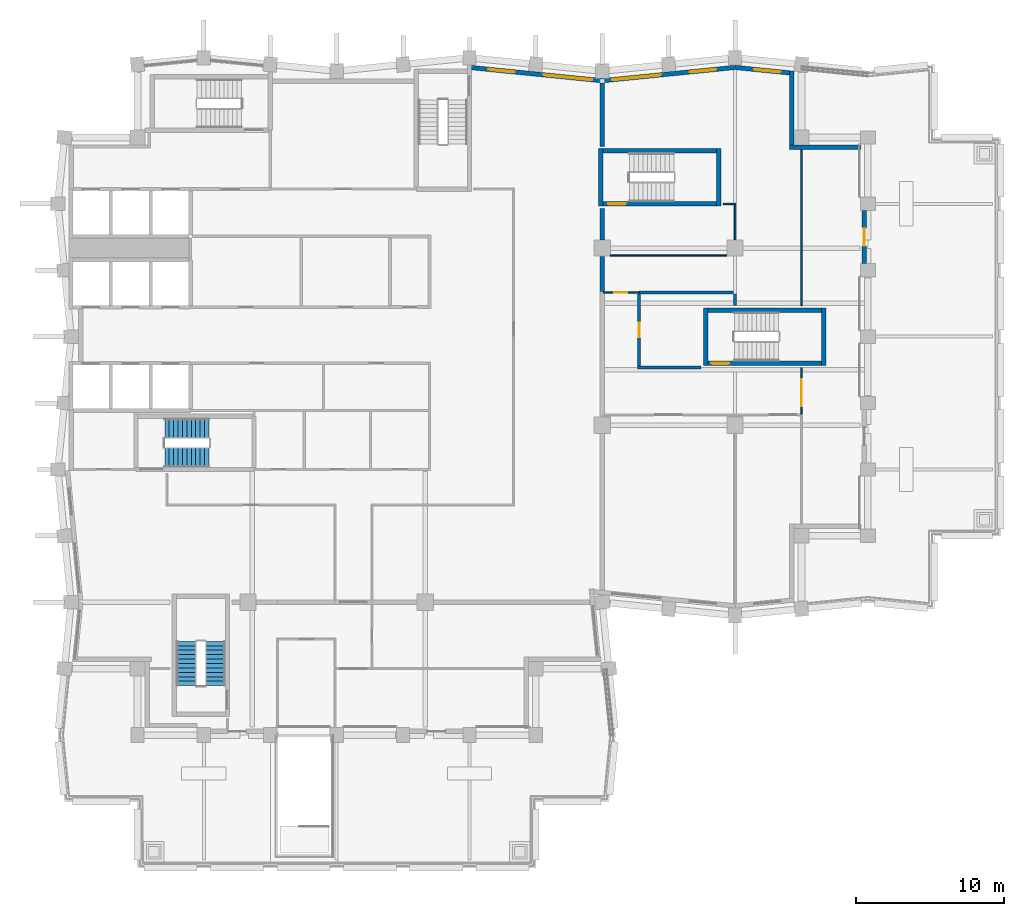
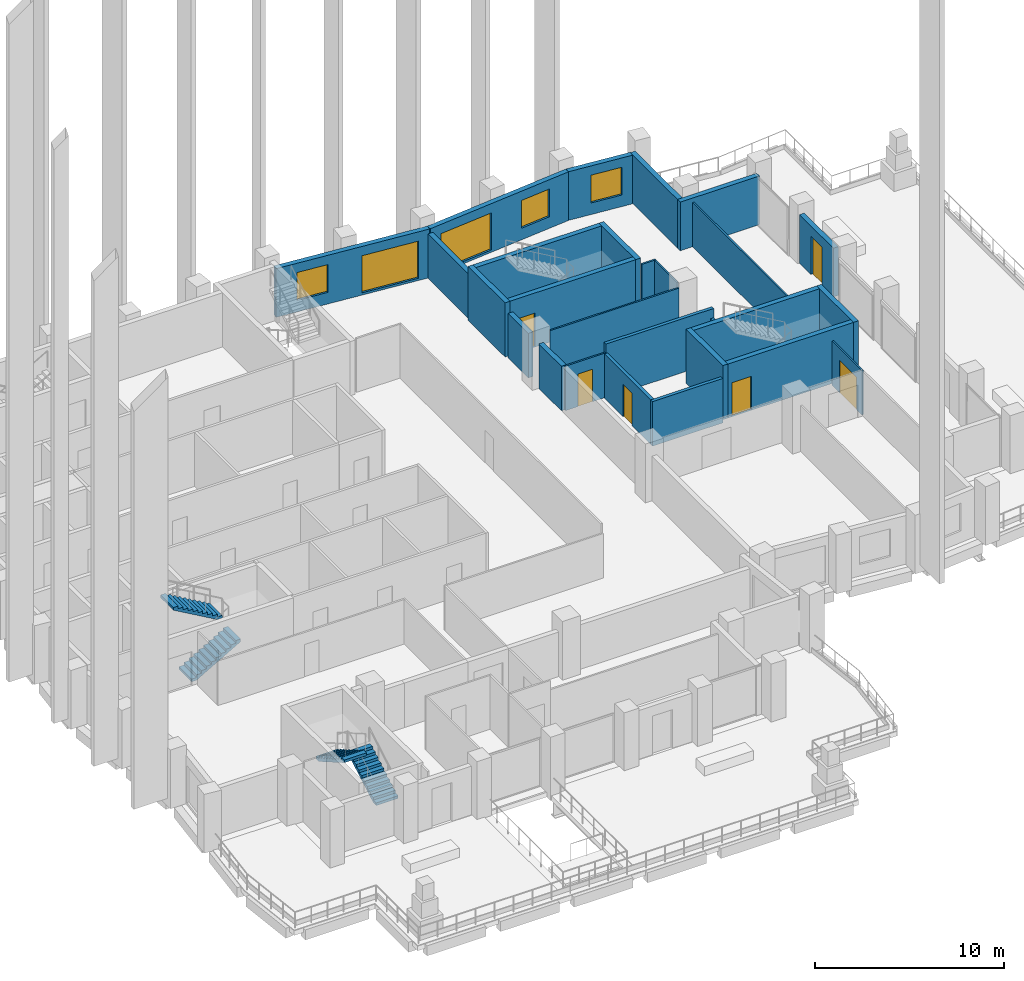
# One storey, part 14 of 19: 27 walls, 6 doors, 5 windows, 4 stair flights, 11 openings, 2 elements without a shape of their own.
"""IFC4 building model written with IfcOpenShell, lengths in metres."""

from ifc_helpers import new_model, si_unit, direction, frame, frame_2d, origin, place, context, subcontext, project, spatial, polyline, rectangle, outline, extrude, material, layer, layer_set, type_object, element, fill, aggregate, save


model = new_model("IFC4")

# Units and contexts
model_context = context("Model", 3, precision=1e-05, world=origin(), true_north=direction((0.0, 1.0)))
body_context = subcontext(model_context, "Body", "Model", "MODEL_VIEW")
ifc_project = project(units=[si_unit("LENGTHUNIT", "METRE"), si_unit("AREAUNIT", "SQUARE_METRE"), si_unit("VOLUMEUNIT", "CUBIC_METRE"), si_unit("PLANEANGLEUNIT", "RADIAN"), si_unit("MASSUNIT", "GRAM", prefix="KILO")], contexts=[model_context])

# Site, building, storey
site_placement = place(None, origin())
site = spatial("IfcSite", under=ifc_project, at=site_placement, CompositionType="ELEMENT")
building_placement = place(site_placement, origin())
building = spatial("IfcBuilding", under=site, at=building_placement, Name="Brondeck Convention Tower", CompositionType="ELEMENT")
storey_placement = place(building_placement, frame((0.0, 0.0, 198.800048828125)))
storey = spatial("IfcBuildingStorey", under=building, at=storey_placement, Name="L48", CompositionType="ELEMENT", Elevation=198.800048828125)

# Walls
ifc_material_1 = material(Name="Concrete compartment wall C30/37", Category="concrete")
ifc_layer_1 = layer(ifc_material_1, 0.300048828125)
ifc_layer_set_1 = layer_set([ifc_layer_1], Name="Compartment wall 300")
wall_type_1 = type_object("IfcWallType", Name="Compartment wall 300", PredefinedType="PARTITIONING", material=ifc_layer_set_1)
wall_1_placement = place(storey_placement, frame((36.0, 48.050048828125, 0.0), z_axis=(0.0, 0.0, 1.0), x_axis=(0.0, 1.0, 0.0)))
element("IfcWall", 1, at=wall_1_placement, inside=storey, type_object=wall_type_1, Name="FLR-L48-W040", PredefinedType="PARTITIONING", context=body_context, shape_type="SweptSolid", body=[
    extrude(rectangle(XDim=2.39501953125, YDim=0.300048828125, at=frame_2d((1.197509765625, 0.0))), origin(), (0.0, 0.0, 1.0), 2.8798828125),
])
wall_2_placement = place(storey_placement, frame((36.0, 51.554931640625, 0.0), z_axis=(0.0, 0.0, 1.0), x_axis=(0.0, 1.0, 0.0)))
element("IfcWall", 2, at=wall_2_placement, inside=storey, type_object=wall_type_1, Name="FLR-L48-W042", PredefinedType="PARTITIONING", context=body_context, shape_type="SweptSolid", body=[
    extrude(rectangle(XDim=2.14501953125, YDim=0.300048828125, at=frame_2d((1.072509765625, 0.0))), origin(), (0.0, 0.0, 1.0), 2.8798828125),
])
wall_3_placement = place(storey_placement, frame((36.0, 57.89990234375, 0.0), z_axis=(0.0, 0.0, 1.0), x_axis=(0.0, 1.0, 0.0)))
element("IfcWall", 3, at=wall_3_placement, inside=storey, type_object=wall_type_1, Name="FLR-L48-W047", PredefinedType="PARTITIONING", context=body_context, shape_type="SweptSolid", body=[
    extrude(rectangle(XDim=4.2763671875, YDim=0.300048828125, at=frame_2d((2.13818359375, 0.0))), origin(), (0.0, 0.0, 1.0), 2.8798828125),
])
ifc_material_2 = material(Name="Precast concrete C50/60 bronze finish", Category="concrete")
ifc_layer_2 = layer(ifc_material_2, 0.070068359375, Name="Bronze precast facing")
ifc_material_3 = material(Name="Mineral wool")
ifc_layer_3 = layer(ifc_material_3, 0.159912109375, Name="Insulation")
ifc_material_4 = material(Name="Concrete C35/45", Category="concrete")
ifc_layer_4 = layer(ifc_material_4, 0.070068359375, Name="Backing")
ifc_layer_set_2 = layer_set([ifc_layer_2, ifc_layer_3, ifc_layer_4], Name="External infill wall, precast concrete C50/60 bronze facing")
wall_type_2 = type_object("IfcWallType", Name="External infill wall, precast concrete C50/60 bronze facing", PredefinedType="SOLIDWALL", material=ifc_layer_set_2)
wall_4_placement = place(storey_placement, frame((48.699951171875, 57.85009765625, 0.0), z_axis=(0.0, 0.0, 1.0), x_axis=(1.0, 0.0, 0.0)))
element("IfcWall", 4, at=wall_4_placement, inside=storey, type_object=wall_type_2, Name="ENV-EW-L48-P2-NC-NEA54-01", PredefinedType="SOLIDWALL", context=body_context, shape_type="SweptSolid", body=[
    extrude(rectangle(XDim=4.85009765625, YDim=0.300048828125, at=frame_2d((2.425048828125, 0.0))), origin(), (0.0, 0.0, 1.0), 3.14990234375),
])
wall_5_placement = place(storey_placement, frame((48.85009765625, 62.99755859375, 0.0), z_axis=(0.0, 0.0, 1.0), x_axis=(0.0, -1.0, 0.0)))
element("IfcWall", 5, at=wall_5_placement, inside=storey, type_object=wall_type_2, Name="ENV-EW-L48-P2-NC-NEA54-02", PredefinedType="SOLIDWALL", context=body_context, shape_type="SweptSolid", body=[
    extrude(rectangle(XDim=4.99951171875, YDim=0.300048828125, at=frame_2d((2.499755859375, 0.0))), origin(), (0.0, 0.0, 1.0), 3.14990234375),
])

# Wall, opening, window
wall_6_placement = place(storey_placement, frame((44.985107421875, 63.248291015625, 0.0), z_axis=(0.0, 0.0, 1.0), x_axis=(0.995037837869, -0.099497242219, 0.0)))
wall_6 = element("IfcWall", 6, at=wall_6_placement, inside=storey, type_object=wall_type_2, Name="ENV-EW-L48-P2-A-N-10", PredefinedType="SOLIDWALL", context=body_context, shape_type="SweptSolid", body=[
    extrude(rectangle(XDim=3.732177734375, YDim=0.300048828125, at=frame_2d((1.8662109375, 0.0))), origin(), (0.0, 0.0, 1.0), 3.14990234375),
])
opening_1_placement = place(wall_6_placement, frame((1.311279296875, 0.0, 0.75)))
opening_1 = element("IfcOpeningElement", 7, at=opening_1_placement, cuts=wall_6, Name="Opening W10", PredefinedType="OPENING", context=body_context, shape_type="SweptSolid", body=[
    extrude(rectangle(XDim=1.800048828125, YDim=1.800048828125, at=frame_2d((0.89990234375, 0.89990234375))), frame((0.0, 0.159912109375, 0.0), z_axis=(0.0, -1.0, 0.0), x_axis=(1.0, 0.0, 0.0)), (0.0, 0.0, 1.0), 0.320068359375),
])
ifc_material_5 = material(Name="Bronze tinted double glazing", Category="glass")
window_type_1 = type_object("IfcWindowType", Name="Punched window, bronze tinted", PartitioningType="SINGLE_PANEL", PredefinedType="WINDOW", material=ifc_material_5)
window_1_placement = place(opening_1_placement, origin())
window_1 = element("IfcWindow", 8, at=window_1_placement, inside=storey, type_object=window_type_1, Name="ENV-WN-L48-P2-A-N-10", OverallHeight=1.800048828125, OverallWidth=1.800048828125, PartitioningType="SINGLE_PANEL", PredefinedType="WINDOW", context=body_context, shape_type="SweptSolid", body=[
    extrude(rectangle(XDim=1.800048828125, YDim=1.800048828125, at=frame_2d((0.89990234375, 0.89990234375))), frame((0.0, 0.030029296875, 0.0), z_axis=(0.0, -1.0, 0.0), x_axis=(1.0, 0.0, 0.0)), (0.0, 0.0, 1.0), 0.06005859375),
])
fill(opening_1, window_1)

# Wall, openings, windows
wall_7_placement = place(storey_placement, frame((35.985107421875, 62.34521484375, 0.0), z_axis=(0.0, 0.0, 1.0), x_axis=(0.995035316196, 0.099522457379, 0.0)))
wall_7 = element("IfcWall", 9, at=wall_7_placement, inside=storey, type_object=wall_type_2, Name="ENV-EW-L48-P2-A-N-09", PredefinedType="SOLIDWALL", context=body_context, shape_type="SweptSolid", body=[
    extrude(rectangle(XDim=9.030029296875, YDim=0.300048828125, at=frame_2d((4.51513671875, 0.0))), origin(), (0.0, 0.0, 1.0), 3.14990234375),
])
opening_2_placement = place(wall_7_placement, frame((0.691162109375, 0.0, 0.14990234375)))
opening_2 = element("IfcOpeningElement", 10, at=opening_2_placement, cuts=wall_7, Name="Opening W9", PredefinedType="OPENING", context=body_context, shape_type="SweptSolid", body=[
    extrude(rectangle(XDim=3.300048828125, YDim=2.39990234375, at=frame_2d((1.64990234375, 1.199951171875))), frame((0.0, 0.159912109375, 0.0), z_axis=(0.0, -1.0, 0.0), x_axis=(1.0, 0.0, 0.0)), (0.0, 0.0, 1.0), 0.320068359375),
])
opening_3_placement = place(wall_7_placement, frame((5.963623046875, 0.0, 0.75)))
opening_3 = element("IfcOpeningElement", 11, at=opening_3_placement, cuts=wall_7, Name="Opening W10", PredefinedType="OPENING", context=body_context, shape_type="SweptSolid", body=[
    extrude(rectangle(XDim=1.800048828125, YDim=1.800048828125, at=frame_2d((0.89990234375, 0.89990234375))), frame((0.0, 0.159912109375, 0.0), z_axis=(0.0, -1.0, 0.0), x_axis=(1.0, 0.0, 0.0)), (0.0, 0.0, 1.0), 0.320068359375),
])
window_type_2 = type_object("IfcWindowType", Name="Glazed flute window, bronze tinted", PartitioningType="SINGLE_PANEL", PredefinedType="WINDOW", material=ifc_material_5)
window_2_placement = place(opening_2_placement, origin())
window_2 = element("IfcWindow", 12, at=window_2_placement, inside=storey, type_object=window_type_2, Name="ENV-WN-L48-P2-A-N-08", OverallHeight=2.39990234375, OverallWidth=3.300048828125, PartitioningType="SINGLE_PANEL", PredefinedType="WINDOW", context=body_context, shape_type="SweptSolid", body=[
    extrude(rectangle(XDim=3.300048828125, YDim=2.39990234375, at=frame_2d((1.64990234375, 1.199951171875))), frame((0.0, 0.030029296875, 0.0), z_axis=(0.0, -1.0, 0.0), x_axis=(1.0, 0.0, 0.0)), (0.0, 0.0, 1.0), 0.06005859375),
])
fill(opening_2, window_2)
window_3_placement = place(opening_3_placement, origin())
window_3 = element("IfcWindow", 13, at=window_3_placement, inside=storey, type_object=window_type_1, Name="ENV-WN-L48-P2-A-N-09", OverallHeight=1.800048828125, OverallWidth=1.800048828125, PartitioningType="SINGLE_PANEL", PredefinedType="WINDOW", context=body_context, shape_type="SweptSolid", body=[
    extrude(rectangle(XDim=1.800048828125, YDim=1.800048828125, at=frame_2d((0.89990234375, 0.89990234375))), frame((0.0, 0.030029296875, 0.0), z_axis=(0.0, -1.0, 0.0), x_axis=(1.0, 0.0, 0.0)), (0.0, 0.0, 1.0), 0.06005859375),
])
fill(opening_3, window_3)

wall_8_placement = place(storey_placement, frame((27.084716796875, 63.23828125, 0.0), z_axis=(0.0, 0.0, 1.0), x_axis=(0.995035836657, -0.099517253618, 0.0)))
wall_8 = element("IfcWall", 14, at=wall_8_placement, inside=storey, type_object=wall_type_2, Name="ENV-EW-L48-P2-A-N-07", PredefinedType="SOLIDWALL", context=body_context, shape_type="SweptSolid", body=[
    extrude(rectangle(XDim=8.929931640625, YDim=0.300048828125, at=frame_2d((4.46484375, 0.0))), origin(), (0.0, 0.0, 1.0), 3.14990234375),
])
opening_4_placement = place(wall_8_placement, frame((1.211181640625, 0.0, 0.75)))
opening_4 = element("IfcOpeningElement", 15, at=opening_4_placement, cuts=wall_8, Name="Opening W10", PredefinedType="OPENING", context=body_context, shape_type="SweptSolid", body=[
    extrude(rectangle(XDim=1.800048828125, YDim=1.800048828125, at=frame_2d((0.89990234375, 0.89990234375))), frame((0.0, 0.159912109375, 0.0), z_axis=(0.0, -1.0, 0.0), x_axis=(1.0, 0.0, 0.0)), (0.0, 0.0, 1.0), 0.320068359375),
])
opening_5_placement = place(wall_8_placement, frame((4.983642578125, 0.0, 0.14990234375)))
opening_5 = element("IfcOpeningElement", 16, at=opening_5_placement, cuts=wall_8, Name="Opening W9", PredefinedType="OPENING", context=body_context, shape_type="SweptSolid", body=[
    extrude(rectangle(XDim=3.300048828125, YDim=2.39990234375, at=frame_2d((1.64990234375, 1.199951171875))), frame((0.0, 0.159912109375, 0.0), z_axis=(0.0, -1.0, 0.0), x_axis=(1.0, 0.0, 0.0)), (0.0, 0.0, 1.0), 0.320068359375),
])
window_4_placement = place(opening_5_placement, origin())
window_4 = element("IfcWindow", 17, at=window_4_placement, inside=storey, type_object=window_type_2, Name="ENV-WN-L48-P2-A-N-07", OverallHeight=2.39990234375, OverallWidth=3.300048828125, PartitioningType="SINGLE_PANEL", PredefinedType="WINDOW", context=body_context, shape_type="SweptSolid", body=[
    extrude(rectangle(XDim=3.300048828125, YDim=2.39990234375, at=frame_2d((1.64990234375, 1.199951171875))), frame((0.0, 0.030029296875, 0.0), z_axis=(0.0, -1.0, 0.0), x_axis=(1.0, 0.0, 0.0)), (0.0, 0.0, 1.0), 0.06005859375),
])
fill(opening_5, window_4)
window_5_placement = place(opening_4_placement, origin())
window_5 = element("IfcWindow", 18, at=window_5_placement, inside=storey, type_object=window_type_1, Name="ENV-WN-L48-P2-A-N-06", OverallHeight=1.800048828125, OverallWidth=1.800048828125, PartitioningType="SINGLE_PANEL", PredefinedType="WINDOW", context=body_context, shape_type="SweptSolid", body=[
    extrude(rectangle(XDim=1.800048828125, YDim=1.800048828125, at=frame_2d((0.89990234375, 0.89990234375))), frame((0.0, 0.030029296875, 0.0), z_axis=(0.0, -1.0, 0.0), x_axis=(1.0, 0.0, 0.0)), (0.0, 0.0, 1.0), 0.06005859375),
])
fill(opening_4, window_5)

# Wall, opening, door
wall_9_placement = place(storey_placement, frame((53.75, 53.550048828125, 0.0), z_axis=(0.0, 0.0, 1.0), x_axis=(0.0, -1.0, 0.0)))
wall_9 = element("IfcWall", 19, at=wall_9_placement, inside=storey, type_object=wall_type_2, Name="ENV-TW-L48-P2-A-E54-05", PredefinedType="SOLIDWALL", context=body_context, shape_type="SweptSolid", body=[
    extrude(rectangle(XDim=3.60009765625, YDim=0.300048828125, at=frame_2d((1.800048828125, 0.0))), origin(), (0.0, 0.0, 1.0), 3.14990234375),
])
opening_6_placement = place(wall_9_placement, frame((1.199951171875, 0.0, 0.0)))
opening_6 = element("IfcOpeningElement", 20, at=opening_6_placement, cuts=wall_9, Name="Opening DB-L48-A-E54-05", PredefinedType="OPENING", context=body_context, shape_type="SweptSolid", body=[
    extrude(rectangle(XDim=1.199951171875, YDim=2.5, at=frame_2d((0.60009765625, 1.25))), frame((0.0, 0.159912109375, 0.0), z_axis=(0.0, -1.0, 0.0), x_axis=(1.0, 0.0, 0.0)), (0.0, 0.0, 1.0), 0.320068359375),
])
ifc_material_6 = material(Name="Aluminium, bronze anodised", Category="aluminium")
door_type_1 = type_object("IfcDoorType", Name="Terrace door, single leaf", OperationType="SINGLE_SWING_LEFT", PredefinedType="DOOR", material=ifc_material_6)
door_1_placement = place(opening_6_placement, origin())
door_1 = element("IfcDoor", 21, at=door_1_placement, inside=storey, type_object=door_type_1, Name="ENV-D-DB-L48-A-E54-05", OperationType="SINGLE_SWING_LEFT", OverallHeight=2.5, OverallWidth=1.199951171875, PredefinedType="DOOR", context=body_context, shape_type="SweptSolid", body=[
    extrude(rectangle(XDim=1.199951171875, YDim=2.5, at=frame_2d((0.60009765625, 1.25))), frame((0.0, 0.02490234375, 0.0), z_axis=(0.0, -1.0, 0.0), x_axis=(1.0, 0.0, 0.0)), (0.0, 0.0, 1.0), 0.050048828125),
])
fill(opening_6, door_1)

# Wall
ifc_material_7 = material(Name="Concrete block wall C16/20", Category="concrete")
ifc_layer_5 = layer(ifc_material_7, 0.199951171875)
ifc_layer_set_3 = layer_set([ifc_layer_5], Name="Plant room wall 200")
wall_type_3 = type_object("IfcWallType", Name="Plant room wall 200", PredefinedType="PARTITIONING", material=ifc_layer_set_3)
wall_10_placement = place(storey_placement, frame((38.39990234375, 42.89990234375, 0.0), z_axis=(0.0, 0.0, 1.0), x_axis=(1.0, 0.0, 0.0)))
element("IfcWall", 22, at=wall_10_placement, inside=storey, type_object=wall_type_3, Name="FLR-L48-W033", PredefinedType="PARTITIONING", context=body_context, shape_type="SweptSolid", body=[
    extrude(rectangle(XDim=4.300048828125, YDim=0.199951171875, at=frame_2d((2.14990234375, 0.0))), origin(), (0.0, 0.0, 1.0), 2.8798828125),
])

# Wall, opening, door
wall_11_placement = place(storey_placement, frame((38.5, 47.89990234375, 0.0), z_axis=(0.0, 0.0, 1.0), x_axis=(0.0, -1.0, 0.0)))
wall_11 = element("IfcWall", 23, at=wall_11_placement, inside=storey, type_object=wall_type_3, Name="FLR-L48-W036", PredefinedType="PARTITIONING", context=body_context, shape_type="SweptSolid", body=[
    extrude(rectangle(XDim=4.89990234375, YDim=0.199951171875, at=frame_2d((2.449951171875, 0.0))), origin(), (0.0, 0.0, 1.0), 2.8798828125),
])
opening_7_placement = place(wall_11_placement, frame((1.949951171875, 0.0, 0.0)))
opening_7 = element("IfcOpeningElement", 24, at=opening_7_placement, cuts=wall_11, Name="Opening OF-K-001", PredefinedType="OPENING", context=body_context, shape_type="SweptSolid", body=[
    extrude(rectangle(XDim=1.0, YDim=2.10009765625, at=frame_2d((0.5, 1.050048828125))), frame((0.0, 0.10986328125, 0.0), z_axis=(0.0, -1.0, 0.0), x_axis=(1.0, 0.0, 0.0)), (0.0, 0.0, 1.0), 0.219970703125),
])
ifc_material_8 = material(Name="Steel fire door leaf", Category="steel")
door_type_2 = type_object("IfcDoorType", Name="Plant room door 1000", OperationType="NOTDEFINED", PredefinedType="DOOR", material=ifc_material_8)
door_2_placement = place(opening_7_placement, origin())
door_2 = element("IfcDoor", 25, at=door_2_placement, inside=storey, type_object=door_type_2, Name="Door OF-K-001", OperationType="SINGLE_SWING_RIGHT", OverallHeight=2.10009765625, OverallWidth=1.0, PredefinedType="DOOR", context=body_context, shape_type="SweptSolid", body=[
    extrude(rectangle(XDim=1.0, YDim=2.10009765625, at=frame_2d((0.5, 1.050048828125))), frame((0.0, 0.02490234375, 0.0), z_axis=(0.0, -1.0, 0.0), x_axis=(1.0, 0.0, 0.0)), (0.0, 0.0, 1.0), 0.050048828125),
])
fill(opening_7, door_2)

# Walls
wall_12_placement = place(storey_placement, frame((45.0, 47.89990234375, 0.0), z_axis=(0.0, 0.0, 1.0), x_axis=(0.0, -1.0, 0.0)))
element("IfcWall", 26, at=wall_12_placement, inside=storey, type_object=wall_type_3, Name="FLR-L48-W037", PredefinedType="PARTITIONING", context=body_context, shape_type="SweptSolid", body=[
    extrude(rectangle(XDim=0.7998046875, YDim=0.199951171875, at=frame_2d((0.39990234375, 0.0))), origin(), (0.0, 0.0, 1.0), 2.8798828125),
])
wall_13_placement = place(storey_placement, frame((38.5, 48.0, 0.0), z_axis=(0.0, 0.0, 1.0), x_axis=(1.0, 0.0, 0.0)))
element("IfcWall", 27, at=wall_13_placement, inside=storey, type_object=wall_type_3, Name="FLR-L48-W039", PredefinedType="PARTITIONING", context=body_context, shape_type="SweptSolid", body=[
    extrude(rectangle(XDim=6.60009765625, YDim=0.199951171875, at=frame_2d((3.300048828125, 0.0))), origin(), (0.0, 0.0, 1.0), 3.47998046875),
])

# Wall, opening, door
ifc_material_9 = material(Name="Gypsum board partition on steel studs", Category="steel")
ifc_layer_6 = layer(ifc_material_9, 0.10009765625)
ifc_layer_set_4 = layer_set([ifc_layer_6], Name="Room partition 100")
wall_type_4 = type_object("IfcWallType", Name="Room partition 100", PredefinedType="PARTITIONING", material=ifc_layer_set_4)
wall_14_placement = place(storey_placement, frame((49.5, 42.89990234375, 0.0), z_axis=(0.0, 0.0, 1.0), x_axis=(0.0, -1.0, 0.0)))
wall_14 = element("IfcWall", 28, at=wall_14_placement, inside=storey, type_object=wall_type_4, Name="FLR-L48-W034", PredefinedType="PARTITIONING", context=body_context, shape_type="SweptSolid", body=[
    extrude(rectangle(XDim=3.14990234375, YDim=0.10009765625, at=frame_2d((1.574951171875, 0.0))), origin(), (0.0, 0.0, 1.0), 2.8798828125),
])
opening_8_placement = place(wall_14_placement, frame((0.800048828125, 0.0, 0.0)))
opening_8 = element("IfcOpeningElement", 29, at=opening_8_placement, cuts=wall_14, Name="Opening OF-K-003", PredefinedType="OPENING", context=body_context, shape_type="SweptSolid", body=[
    extrude(rectangle(XDim=1.800048828125, YDim=2.10009765625, at=frame_2d((0.89990234375, 1.050048828125))), frame((0.0, 0.06005859375, 0.0), z_axis=(0.0, -1.0, 0.0), x_axis=(1.0, 0.0, 0.0)), (0.0, 0.0, 1.0), 0.1201171875),
])
ifc_material_10 = material(Name="Glazed timber double door", Category="wood")
door_type_3 = type_object("IfcDoorType", Name="Double door 1800", OperationType="DOUBLE_DOOR_SINGLE_SWING", PredefinedType="DOOR", material=ifc_material_10)
door_3_placement = place(opening_8_placement, origin())
door_3 = element("IfcDoor", 30, at=door_3_placement, inside=storey, type_object=door_type_3, Name="Door OF-K-003", OperationType="DOUBLE_DOOR_SINGLE_SWING", OverallHeight=2.10009765625, OverallWidth=1.800048828125, PredefinedType="DOOR", context=body_context, shape_type="SweptSolid", body=[
    extrude(rectangle(XDim=1.800048828125, YDim=2.10009765625, at=frame_2d((0.89990234375, 1.050048828125))), frame((0.0, 0.02490234375, 0.0), z_axis=(0.0, -1.0, 0.0), x_axis=(1.0, 0.0, 0.0)), (0.0, 0.0, 1.0), 0.050048828125),
])
fill(opening_8, door_3)

# Wall
wall_15_placement = place(storey_placement, frame((49.5, 47.10009765625, 0.0), z_axis=(0.0, 0.0, 1.0), x_axis=(0.0, 1.0, 0.0)))
element("IfcWall", 31, at=wall_15_placement, inside=storey, type_object=wall_type_4, Name="FLR-L48-W035", PredefinedType="PARTITIONING", context=body_context, shape_type="SweptSolid", body=[
    extrude(rectangle(XDim=10.579833984375, YDim=0.10009765625, at=frame_2d((5.2900390625, 0.0))), origin(), (0.0, 0.0, 1.0), 2.8798828125),
])

# Wall, opening, door
wall_16_placement = place(storey_placement, frame((36.050048828125, 48.0, 0.0), z_axis=(0.0, 0.0, 1.0), x_axis=(1.0, 0.0, 0.0)))
wall_16 = element("IfcWall", 32, at=wall_16_placement, inside=storey, type_object=wall_type_4, Name="FLR-L48-W038", PredefinedType="PARTITIONING", context=body_context, shape_type="SweptSolid", body=[
    extrude(rectangle(XDim=2.449951171875, YDim=0.10009765625, at=frame_2d((1.22509765625, 0.0))), origin(), (0.0, 0.0, 1.0), 2.8798828125),
])
opening_9_placement = place(wall_16_placement, frame((0.75, 0.0, 0.0)))
opening_9 = element("IfcOpeningElement", 33, at=opening_9_placement, cuts=wall_16, Name="Opening OF-K-006", PredefinedType="OPENING", context=body_context, shape_type="SweptSolid", body=[
    extrude(rectangle(XDim=0.89990234375, YDim=2.10009765625, at=frame_2d((0.449951171875, 1.050048828125))), frame((0.0, 0.06005859375, 0.0), z_axis=(0.0, -1.0, 0.0), x_axis=(1.0, 0.0, 0.0)), (0.0, 0.0, 1.0), 0.1201171875),
])
ifc_material_11 = material(Name="Solid timber door leaf", Category="wood")
door_type_4 = type_object("IfcDoorType", Name="Single door 900", OperationType="NOTDEFINED", PredefinedType="DOOR", material=ifc_material_11)
door_4_placement = place(opening_9_placement, origin())
door_4 = element("IfcDoor", 34, at=door_4_placement, inside=storey, type_object=door_type_4, Name="Door OF-K-006", OperationType="SINGLE_SWING_LEFT", OverallHeight=2.10009765625, OverallWidth=0.89990234375, PredefinedType="DOOR", context=body_context, shape_type="SweptSolid", body=[
    extrude(rectangle(XDim=0.89990234375, YDim=2.10009765625, at=frame_2d((0.449951171875, 1.050048828125))), frame((0.0, 0.02490234375, 0.0), z_axis=(0.0, -1.0, 0.0), x_axis=(1.0, 0.0, 0.0)), (0.0, 0.0, 1.0), 0.050048828125),
])
fill(opening_9, door_4)

# Walls
wall_17_placement = place(storey_placement, frame((44.445068359375, 50.5, 0.0), z_axis=(0.0, 0.0, 1.0), x_axis=(-1.0, 0.0, 0.0)))
element("IfcWall", 35, at=wall_17_placement, inside=storey, type_object=wall_type_4, Name="FLR-L48-W041", PredefinedType="PARTITIONING", context=body_context, shape_type="SweptSolid", body=[
    extrude(rectangle(XDim=7.89013671875, YDim=0.10009765625, at=frame_2d((3.945068359375, 0.0))), origin(), (0.0, 0.0, 1.0), 3.47998046875),
])
wall_18_placement = place(storey_placement, frame((45.0, 53.949951171875, 0.0), z_axis=(0.0, 0.0, 1.0), x_axis=(0.0, -1.0, 0.0)))
element("IfcWall", 36, at=wall_18_placement, inside=storey, type_object=wall_type_4, Name="FLR-L48-W043", PredefinedType="PARTITIONING", context=body_context, shape_type="SweptSolid", body=[
    extrude(rectangle(XDim=2.39501953125, YDim=0.10009765625, at=frame_2d((1.197509765625, 0.0))), origin(), (0.0, 0.0, 1.0), 2.97998046875),
])
wall_19_placement = place(storey_placement, frame((44.199951171875, 54.0, 0.0), z_axis=(0.0, 0.0, 1.0), x_axis=(1.0, 0.0, 0.0)))
element("IfcWall", 37, at=wall_19_placement, inside=storey, type_object=wall_type_4, Name="FLR-L48-W044", PredefinedType="PARTITIONING", context=body_context, shape_type="SweptSolid", body=[
    extrude(rectangle(XDim=0.85009765625, YDim=0.10009765625, at=frame_2d((0.425048828125, 0.0))), origin(), (0.0, 0.0, 1.0), 2.97998046875),
])

# Wall, opening, door
ifc_material_12 = material(Name="Concrete C50/60", Category="concrete")
ifc_layer_7 = layer(ifc_material_12, 0.300048828125)
ifc_layer_set_5 = layer_set([ifc_layer_7], Name="Stair enclosure wall 300 Concrete C50/60")
wall_type_5 = type_object("IfcWallType", Name="Stair enclosure wall 300 Concrete C50/60", PredefinedType="SHEAR", material=ifc_layer_set_5)
wall_20_placement = place(storey_placement, frame((43.14990234375, 43.199951171875, 0.0), z_axis=(0.0, 0.0, 1.0), x_axis=(1.0, 0.0, 0.0)))
wall_20 = element("IfcWall", 38, at=wall_20_placement, inside=storey, type_object=wall_type_5, Name="L48 core wall", PredefinedType="SHEAR", context=body_context, shape_type="SweptSolid", body=[
    extrude(rectangle(XDim=7.7001953125, YDim=0.300048828125, at=frame_2d((3.85009765625, 0.0))), origin(), (0.0, 0.0, 1.0), 3.5),
])
opening_10_placement = place(wall_20_placement, frame((0.25, 0.0, 0.0)))
opening_10 = element("IfcOpeningElement", 39, at=opening_10_placement, cuts=wall_20, Name="Opening C27-16", PredefinedType="OPENING", context=body_context, shape_type="SweptSolid", body=[
    extrude(rectangle(XDim=1.199951171875, YDim=2.199951171875, at=frame_2d((0.60009765625, 1.10009765625))), frame((0.0, 0.159912109375, 0.0), z_axis=(0.0, -1.0, 0.0), x_axis=(1.0, 0.0, 0.0)), (0.0, 0.0, 1.0), 0.320068359375),
])
ifc_material_13 = material(Name="Steel fire door", Category="steel")
door_type_5 = type_object("IfcDoorType", Name="Stair door 1200x2200 EI 90", OperationType="NOTDEFINED", PredefinedType="DOOR", material=ifc_material_13)
door_5_placement = place(opening_10_placement, origin())
door_5 = element("IfcDoor", 40, at=door_5_placement, inside=storey, type_object=door_type_5, Name="L48 Stair door ST-AF", OperationType="SINGLE_SWING_RIGHT", OverallHeight=2.199951171875, OverallWidth=1.199951171875, PredefinedType="DOOR", context=body_context, shape_type="SweptSolid", body=[
    extrude(rectangle(XDim=1.199951171875, YDim=2.199951171875, at=frame_2d((0.60009765625, 1.10009765625))), frame((0.0, 0.02490234375, 0.0), z_axis=(0.0, -1.0, 0.0), x_axis=(1.0, 0.0, 0.0)), (0.0, 0.0, 1.0), 0.050048828125),
])
fill(opening_10, door_5)

# Wall
wall_21_placement = place(storey_placement, frame((43.14990234375, 46.800048828125, 0.0), z_axis=(0.0, 0.0, 1.0), x_axis=(1.0, 0.0, 0.0)))
element("IfcWall", 41, at=wall_21_placement, inside=storey, type_object=wall_type_5, Name="L48 core wall", PredefinedType="SHEAR", context=body_context, shape_type="SweptSolid", body=[
    extrude(rectangle(XDim=7.7001953125, YDim=0.300048828125, at=frame_2d((3.85009765625, 0.0))), origin(), (0.0, 0.0, 1.0), 3.5),
])

# Wall, opening, door
wall_22_placement = place(storey_placement, frame((36.050048828125, 54.0, 0.0), z_axis=(0.0, 0.0, 1.0), x_axis=(1.0, 0.0, 0.0)))
wall_22 = element("IfcWall", 42, at=wall_22_placement, inside=storey, type_object=wall_type_5, Name="L48 core wall", PredefinedType="SHEAR", context=body_context, shape_type="SweptSolid", body=[
    extrude(rectangle(XDim=7.699951171875, YDim=0.300048828125, at=frame_2d((3.85009765625, 0.0))), origin(), (0.0, 0.0, 1.0), 3.5),
])
opening_11_placement = place(wall_22_placement, frame((0.35009765625, 0.0, 0.0)))
opening_11 = element("IfcOpeningElement", 43, at=opening_11_placement, cuts=wall_22, Name="Opening C27-15", PredefinedType="OPENING", context=body_context, shape_type="SweptSolid", body=[
    extrude(rectangle(XDim=1.199951171875, YDim=2.199951171875, at=frame_2d((0.60009765625, 1.10009765625))), frame((0.0, 0.159912109375, 0.0), z_axis=(0.0, -1.0, 0.0), x_axis=(1.0, 0.0, 0.0)), (0.0, 0.0, 1.0), 0.320068359375),
])
door_6_placement = place(opening_11_placement, origin())
door_6 = element("IfcDoor", 44, at=door_6_placement, inside=storey, type_object=door_type_5, Name="L48 Stair door ST-AE", OperationType="SINGLE_SWING_LEFT", OverallHeight=2.199951171875, OverallWidth=1.199951171875, PredefinedType="DOOR", context=body_context, shape_type="SweptSolid", body=[
    extrude(rectangle(XDim=1.199951171875, YDim=2.199951171875, at=frame_2d((0.60009765625, 1.10009765625))), frame((0.0, 0.02490234375, 0.0), z_axis=(0.0, -1.0, 0.0), x_axis=(1.0, 0.0, 0.0)), (0.0, 0.0, 1.0), 0.050048828125),
])
fill(opening_11, door_6)

# Walls
wall_23_placement = place(storey_placement, frame((36.050048828125, 57.60009765625, 0.0), z_axis=(0.0, 0.0, 1.0), x_axis=(1.0, 0.0, 0.0)))
element("IfcWall", 45, at=wall_23_placement, inside=storey, type_object=wall_type_5, Name="L48 core wall", PredefinedType="SHEAR", context=body_context, shape_type="SweptSolid", body=[
    extrude(rectangle(XDim=7.699951171875, YDim=0.300048828125, at=frame_2d((3.85009765625, 0.0))), origin(), (0.0, 0.0, 1.0), 3.5),
])
for number, where, z_axis, x_axis, name in (
    (46, (35.89990234375, 53.85009765625, 0.0), (0.0, 0.0, 1.0), (0.0, 1.0, 0.0), "L48 core wall"),
    (47, (43.0, 43.050048828125, 0.0), (0.0, 0.0, 1.0), (0.0, 1.0, 0.0), "L48 core wall"),
    (48, (43.89990234375, 53.85009765625, 0.0), (0.0, 0.0, 1.0), (0.0, 1.0, 0.0), "L48 core wall"),
    (49, (51.0, 43.050048828125, 0.0), (0.0, 0.0, 1.0), (0.0, 1.0, 0.0), "L48 core wall"),
):
    element("IfcWall", number, at=place(storey_placement, frame(where, z_axis=z_axis, x_axis=x_axis)), inside=storey, type_object=wall_type_5, Name=name, PredefinedType="SHEAR", context=body_context, shape_type="SweptSolid", body=[
        extrude(rectangle(XDim=3.89990234375, YDim=0.300048828125, at=frame_2d((1.949951171875, 0.0))), origin(), (0.0, 0.0, 1.0), 3.5),
    ])

# Stair, stair flights
ifc_material_14 = material(Name="Precast concrete C50/60", Category="concrete")
stair_type = type_object("IfcStairType", Name="Core stair 22 risers 172.73 mm riser 300 mm going 1350 wide", PredefinedType="HALF_TURN_STAIR", material=ifc_material_14)
stair_1_placement = place(storey_placement, origin())
stair_1 = element("IfcStair", 50, at=stair_1_placement, inside=storey, type_object=stair_type, Name="ST-1 L48 stair", PredefinedType="HALF_TURN_STAIR")
stair_flight_type = type_object("IfcStairFlightType", Name="Core stair flight 22 risers 172.73 mm riser 300 mm going 1350 wide", PredefinedType="STRAIGHT", material=ifc_material_14)
stair_flight_1_placement = place(storey_placement, frame((6.35009765625, 36.824951171875, 0.0), z_axis=(0.0, 0.0, 1.0), x_axis=(1.0, 0.0, 0.0)))
stair_flight_1 = element("IfcStairFlight", 51, at=stair_flight_1_placement, type_object=stair_flight_type, Name="ST-1 flight 1", NumberOfRisers=11, NumberOfTreads=10, PredefinedType="STRAIGHT", RiserHeight=0.172727273, TreadLength=0.3, context=body_context, shape_type="SweptSolid", body=[
    extrude(outline(polyline([(0.0, 0.0), (0.0, 0.172607421875), (0.300048828125, 0.172607421875), (0.300048828125, 0.345458984375), (0.60009765625, 0.345458984375), (0.60009765625, 0.51806640625), (0.89990234375, 0.51806640625), (0.89990234375, 0.69091796875), (1.199951171875, 0.69091796875), (1.199951171875, 0.863525390625), (1.5, 0.863525390625), (1.5, 1.036376953125), (1.800048828125, 1.036376953125), (1.800048828125, 1.208984375), (2.10009765625, 1.208984375), (2.10009765625, 1.3818359375), (2.39990234375, 1.3818359375), (2.39990234375, 1.554443359375), (2.699951171875, 1.554443359375), (2.699951171875, 1.727294921875), (3.0, 1.727294921875), (3.0, 1.89990234375), (3.0, 1.55419921875), (0.300537109375, 0.0), (0.0, 0.0)])), frame((0.0, 0.675048828125, 0.0), z_axis=(0.0, -1.0, 0.0), x_axis=(1.0, 0.0, 0.0)), (0.0, 0.0, 1.0), 1.35009765625),
])
stair_flight_2_placement = place(storey_placement, frame((9.35009765625, 38.77490234375, 1.89990234375), z_axis=(0.0, 0.0, 1.0), x_axis=(-1.0, 0.0, 0.0)))
stair_flight_2 = element("IfcStairFlight", 52, at=stair_flight_2_placement, type_object=stair_flight_type, Name="ST-1 flight 2", NumberOfRisers=11, NumberOfTreads=10, PredefinedType="STRAIGHT", RiserHeight=0.172727273, TreadLength=0.3, context=body_context, shape_type="SweptSolid", body=[
    extrude(outline(polyline([(0.0, 0.0), (0.0, 0.172607421875), (0.300048828125, 0.172607421875), (0.300048828125, 0.345458984375), (0.60009765625, 0.345458984375), (0.60009765625, 0.51806640625), (0.89990234375, 0.51806640625), (0.89990234375, 0.69091796875), (1.199951171875, 0.69091796875), (1.199951171875, 0.863525390625), (1.5, 0.863525390625), (1.5, 1.036376953125), (1.800048828125, 1.036376953125), (1.800048828125, 1.208984375), (2.10009765625, 1.208984375), (2.10009765625, 1.3818359375), (2.39990234375, 1.3818359375), (2.39990234375, 1.554443359375), (2.699951171875, 1.554443359375), (2.699951171875, 1.727294921875), (3.0, 1.727294921875), (3.0, 1.89990234375), (3.0, 1.55419921875), (0.300537109375, 0.0), (0.0, 0.0)])), frame((0.0, 0.675048828125, 0.0), z_axis=(0.0, -1.0, 0.0), x_axis=(1.0, 0.0, 0.0)), (0.0, 0.0, 1.0), 1.35009765625),
])
aggregate(stair_1, [stair_flight_1, stair_flight_2])

stair_2_placement = place(storey_placement, origin())
stair_2 = element("IfcStair", 53, at=stair_2_placement, inside=storey, type_object=stair_type, Name="ST-BE L48 stair", PredefinedType="HALF_TURN_STAIR")
stair_flight_3_placement = place(storey_placement, frame((9.77490234375, 21.35009765625, 0.0), z_axis=(0.0, 0.0, 1.0), x_axis=(0.0, 1.0, 0.0)))
stair_flight_3 = element("IfcStairFlight", 54, at=stair_flight_3_placement, type_object=stair_flight_type, Name="ST-BE flight 1", NumberOfRisers=11, NumberOfTreads=10, PredefinedType="STRAIGHT", RiserHeight=0.172727273, TreadLength=0.3, context=body_context, shape_type="SweptSolid", body=[
    extrude(outline(polyline([(0.0, 0.0), (0.0, 0.172607421875), (0.300048828125, 0.172607421875), (0.300048828125, 0.345458984375), (0.60009765625, 0.345458984375), (0.60009765625, 0.51806640625), (0.89990234375, 0.51806640625), (0.89990234375, 0.69091796875), (1.199951171875, 0.69091796875), (1.199951171875, 0.863525390625), (1.5, 0.863525390625), (1.5, 1.036376953125), (1.800048828125, 1.036376953125), (1.800048828125, 1.208984375), (2.10009765625, 1.208984375), (2.10009765625, 1.3818359375), (2.39990234375, 1.3818359375), (2.39990234375, 1.554443359375), (2.699951171875, 1.554443359375), (2.699951171875, 1.727294921875), (3.0, 1.727294921875), (3.0, 1.89990234375), (3.0, 1.55419921875), (0.300537109375, 0.0), (0.0, 0.0)])), frame((0.0, 0.675048828125, 0.0), z_axis=(0.0, -1.0, 0.0), x_axis=(1.0, 0.0, 0.0)), (0.0, 0.0, 1.0), 1.35009765625),
])
stair_flight_4_placement = place(storey_placement, frame((7.824951171875, 24.35009765625, 1.89990234375), z_axis=(0.0, 0.0, 1.0), x_axis=(0.0, -1.0, 0.0)))
stair_flight_4 = element("IfcStairFlight", 55, at=stair_flight_4_placement, type_object=stair_flight_type, Name="ST-BE flight 2", NumberOfRisers=11, NumberOfTreads=10, PredefinedType="STRAIGHT", RiserHeight=0.172727273, TreadLength=0.3, context=body_context, shape_type="SweptSolid", body=[
    extrude(outline(polyline([(0.0, 0.0), (0.0, 0.172607421875), (0.300048828125, 0.172607421875), (0.300048828125, 0.345458984375), (0.60009765625, 0.345458984375), (0.60009765625, 0.51806640625), (0.89990234375, 0.51806640625), (0.89990234375, 0.69091796875), (1.199951171875, 0.69091796875), (1.199951171875, 0.863525390625), (1.5, 0.863525390625), (1.5, 1.036376953125), (1.800048828125, 1.036376953125), (1.800048828125, 1.208984375), (2.10009765625, 1.208984375), (2.10009765625, 1.3818359375), (2.39990234375, 1.3818359375), (2.39990234375, 1.554443359375), (2.699951171875, 1.554443359375), (2.699951171875, 1.727294921875), (3.0, 1.727294921875), (3.0, 1.89990234375), (3.0, 1.55419921875), (0.300537109375, 0.0), (0.0, 0.0)])), frame((0.0, 0.675048828125, 0.0), z_axis=(0.0, -1.0, 0.0), x_axis=(1.0, 0.0, 0.0)), (0.0, 0.0, 1.0), 1.35009765625),
])
aggregate(stair_2, [stair_flight_3, stair_flight_4])

save(model, "model.ifc")
